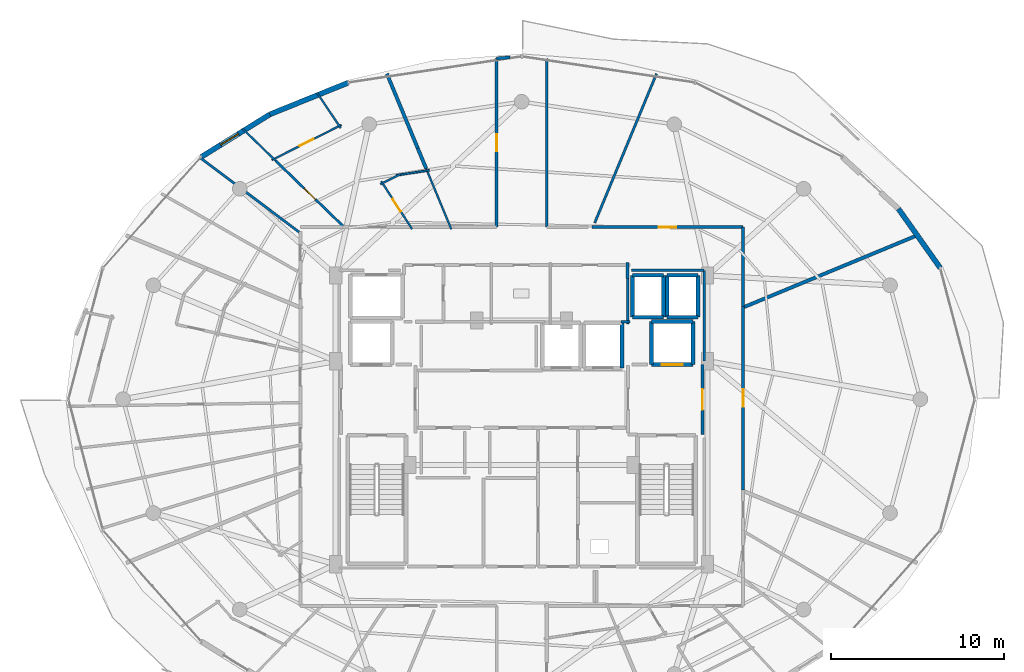
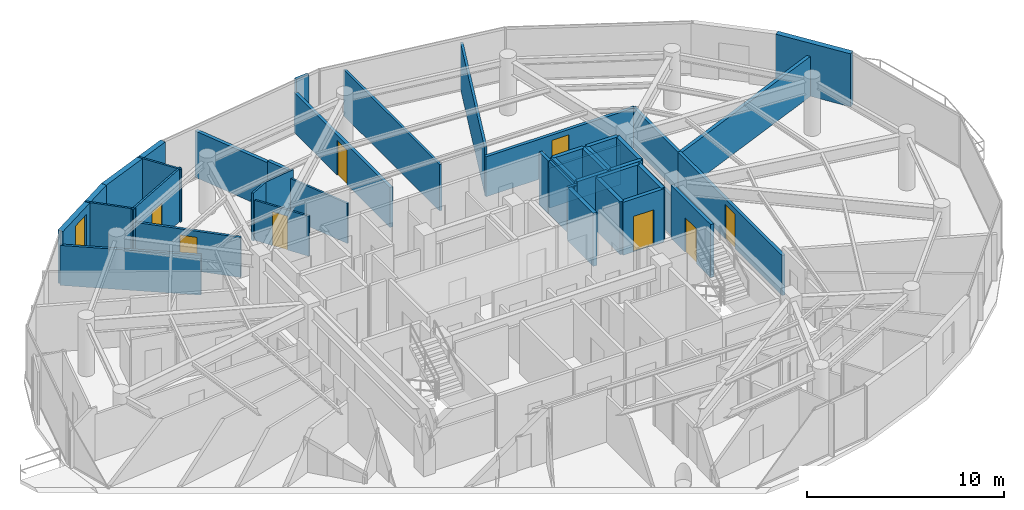
# One storey, part 26 of 30: 41 walls, 8 doors, 1 window, 9 openings.
"""IFC4 building model written with IfcOpenShell, lengths in metres."""

from ifc_helpers import new_model, si_unit, direction, frame, frame_2d, origin, place, context, subcontext, project, spatial, rectangle, extrude, material, layer, layer_set, type_object, element, fill, save


model = new_model("IFC4")

# Units and contexts
model_context = context("Model", 3, precision=1e-05, world=origin(), true_north=direction((0.0, 1.0)))
body_context = subcontext(model_context, "Body", "Model", "MODEL_VIEW")
ifc_project = project(units=[si_unit("LENGTHUNIT", "METRE"), si_unit("AREAUNIT", "SQUARE_METRE"), si_unit("VOLUMEUNIT", "CUBIC_METRE"), si_unit("PLANEANGLEUNIT", "RADIAN"), si_unit("MASSUNIT", "GRAM", prefix="KILO")], contexts=[model_context])

# Site, building, storey
site_placement = place(None, origin())
site = spatial("IfcSite", under=ifc_project, at=site_placement, CompositionType="ELEMENT")
building_placement = place(site_placement, origin())
building = spatial("IfcBuilding", under=site, at=building_placement, Name="Vorneva Point Tower", CompositionType="ELEMENT")
storey_placement = place(building_placement, frame((0.0, 0.0, 252.0)))
storey = spatial("IfcBuildingStorey", under=building, at=storey_placement, Name="L68", CompositionType="ELEMENT", Elevation=252.0)

# Wall, opening, door
ifc_material_1 = material(Name="Concrete B60 (C50/60)", Category="concrete")
ifc_layer_1 = layer(ifc_material_1, 0.35009765625)
ifc_layer_set_1 = layer_set([ifc_layer_1], Name="Concrete B60 (C50/60)")
wall_type_1 = type_object("IfcWallType", Name="WL-CORE-350", PredefinedType="SHEAR", material=ifc_layer_set_1)
wall_1_placement = place(storey_placement, frame((45.5, 28.0, 0.0), z_axis=(0.0, 0.0, 1.0), x_axis=(1.0, 0.0, 0.0)))
wall_1 = element("IfcWall", 1, at=wall_1_placement, inside=storey, type_object=wall_type_1, Name="L68 Lift FFL2 Shaft Wall -Y", PredefinedType="SHEAR", context=body_context, shape_type="SweptSolid", body=[
    extrude(rectangle(XDim=2.39990234375, YDim=0.219970703125, at=frame_2d((1.199951171875, 0.0))), origin(), (0.0, 0.0, 1.0), 3.2900390625),
])
opening_1_placement = place(wall_1_placement, frame((0.60009765625, 0.0, 0.0)))
opening_1 = element("IfcOpeningElement", 2, at=opening_1_placement, cuts=wall_1, Name="Opening LD-02", PredefinedType="OPENING", context=body_context, shape_type="SweptSolid", body=[
    extrude(rectangle(XDim=1.199951171875, YDim=2.199951171875, at=frame_2d((0.60009765625, 1.10009765625))), frame((0.0, 0.125, 0.0), z_axis=(0.0, -1.0, 0.0), x_axis=(1.0, 0.0, 0.0)), (0.0, 0.0, 1.0), 0.249755859375),
])
ifc_material_2 = material(Name="Brushed stainless steel S304", Category="steel")
door_type_1 = type_object("IfcDoorType", Name="LD-FIRE-1200", OperationType="SLIDING_TO_LEFT", PredefinedType="DOOR", material=ifc_material_2)
door_1_placement = place(opening_1_placement, origin())
door_1 = element("IfcDoor", 3, at=door_1_placement, inside=storey, type_object=door_type_1, Name="L68 Lift FFL2 Sliding Landing Door", OperationType="SLIDING_TO_LEFT", OverallHeight=2.199951171875, OverallWidth=1.199951171875, PredefinedType="DOOR", context=body_context, shape_type="SweptSolid", body=[
    extrude(rectangle(XDim=1.199951171875, YDim=2.199951171875, at=frame_2d((0.60009765625, 1.10009765625))), frame((0.0, 0.02490234375, 0.0), z_axis=(0.0, -1.0, 0.0), x_axis=(1.0, 0.0, 0.0)), (0.0, 0.0, 1.0), 0.050048828125),
])
fill(opening_1, door_1)

# Walls
wall_2_placement = place(storey_placement, frame((47.89990234375, 28.0, 0.0), z_axis=(0.0, 0.0, 1.0), x_axis=(0.0, 1.0, 0.0)))
element("IfcWall", 4, at=wall_2_placement, inside=storey, type_object=wall_type_1, Name="L68 Lift FFL2 Shaft Wall +X", PredefinedType="SHEAR", context=body_context, shape_type="SweptSolid", body=[
    extrude(rectangle(XDim=2.5, YDim=0.219970703125, at=frame_2d((1.25, 0.0))), origin(), (0.0, 0.0, 1.0), 3.2900390625),
])
wall_3_placement = place(storey_placement, frame((47.89990234375, 30.5, 0.0), z_axis=(0.0, 0.0, 1.0), x_axis=(-1.0, 0.0, 0.0)))
element("IfcWall", 5, at=wall_3_placement, inside=storey, type_object=wall_type_1, Name="L68 Lift FFL2 Shaft Wall +Y", PredefinedType="SHEAR", context=body_context, shape_type="SweptSolid", body=[
    extrude(rectangle(XDim=2.39990234375, YDim=0.219970703125, at=frame_2d((1.199951171875, 0.0))), origin(), (0.0, 0.0, 1.0), 3.2900390625),
])
wall_4_placement = place(storey_placement, frame((45.5, 30.5, 0.0), z_axis=(0.0, 0.0, 1.0), x_axis=(0.0, -1.0, 0.0)))
element("IfcWall", 6, at=wall_4_placement, inside=storey, type_object=wall_type_1, Name="L68 Lift FFL2 Shaft Wall -X", PredefinedType="SHEAR", context=body_context, shape_type="SweptSolid", body=[
    extrude(rectangle(XDim=2.5, YDim=0.219970703125, at=frame_2d((1.25, 0.0))), origin(), (0.0, 0.0, 1.0), 3.2900390625),
])
ifc_material_3 = material(Name="Precast concrete B50 (C40/50)", Category="concrete")
ifc_layer_2 = layer(ifc_material_3, 0.300048828125)
ifc_layer_set_2 = layer_set([ifc_layer_2], Name="Precast concrete B50 (C40/50)")
wall_type_2 = type_object("IfcWallType", Name="WL-EXT-300", PredefinedType="STANDARD", material=ifc_layer_set_2)
wall_5_placement = place(storey_placement, frame((62.20556640625, 33.5810546875, 0.0), z_axis=(0.0, 0.0, 1.0), x_axis=(-0.577261247247, 0.816559521668, 0.0)))
element("IfcWall", 7, at=wall_5_placement, inside=storey, type_object=wall_type_2, Name="L68 Pale-Metal Facade Spandrel Wall 02.1", PredefinedType="STANDARD", context=body_context, shape_type="SweptSolid", body=[
    extrude(rectangle(XDim=4.194091796875, YDim=0.300048828125, at=frame_2d((2.09716796875, 0.0))), origin(), (0.0, 0.0, 1.0), 3.2900390625),
])
wall_6_placement = place(storey_placement, frame((27.9736328125, 44.302001953125, 0.0), z_axis=(0.0, 0.0, 1.0), x_axis=(-0.927147375511, -0.374696869594, 0.0)))
element("IfcWall", 8, at=wall_6_placement, inside=storey, type_object=wall_type_2, Name="L68 Pale-Metal Facade Spandrel Wall 06.1", PredefinedType="STANDARD", context=body_context, shape_type="SweptSolid", body=[
    extrude(rectangle(XDim=4.885498046875, YDim=0.300048828125, at=frame_2d((2.44287109375, 0.0))), origin(), (0.0, 0.0, 1.0), 3.2900390625),
])

# Wall, opening, window
wall_7_placement = place(storey_placement, frame((23.444091796875, 42.471435546875, 0.0), z_axis=(0.0, 0.0, 1.0), x_axis=(-0.849702323036, -0.527262707032, 0.0)))
wall_7 = element("IfcWall", 9, at=wall_7_placement, inside=storey, type_object=wall_type_2, Name="L68 Pale-Metal Facade Spandrel Wall 06.2", PredefinedType="STANDARD", context=body_context, shape_type="SweptSolid", body=[
    extrude(rectangle(XDim=4.67236328125, YDim=0.300048828125, at=frame_2d((2.336181640625, 0.0))), origin(), (0.0, 0.0, 1.0), 3.2900390625),
])
opening_2_placement = place(wall_7_placement, frame((2.150146484375, 0.0, 0.85009765625)))
opening_2 = element("IfcOpeningElement", 10, at=opening_2_placement, cuts=wall_7, Name="Opening W-04", PredefinedType="OPENING", context=body_context, shape_type="SweptSolid", body=[
    extrude(rectangle(XDim=1.199951171875, YDim=1.949951171875, at=frame_2d((0.60009765625, 0.97509765625))), frame((0.0, 0.1650390625, 0.0), z_axis=(0.0, -1.0, 0.0), x_axis=(1.0, 0.0, 0.0)), (0.0, 0.0, 1.0), 0.329833984375),
])
ifc_material_4 = material(Name="Double low-e laminated glass IGU", Category="glass")
window_type = type_object("IfcWindowType", Name="WN-RES-1200", PartitioningType="SINGLE_PANEL", PredefinedType="WINDOW", material=ifc_material_4)
window_placement = place(opening_2_placement, origin())
window = element("IfcWindow", 11, at=window_placement, inside=storey, type_object=window_type, Name="L68 Dwelling Vision Window 01", OverallHeight=1.949951171875, OverallWidth=1.199951171875, PartitioningType="SINGLE_PANEL", PredefinedType="WINDOW", context=body_context, shape_type="SweptSolid", body=[
    extrude(rectangle(XDim=1.199951171875, YDim=1.949951171875, at=frame_2d((0.60009765625, 0.97509765625))), frame((0.0, 0.030029296875, 0.0), z_axis=(0.0, -1.0, 0.0), x_axis=(1.0, 0.0, 0.0)), (0.0, 0.0, 1.0), 0.06005859375),
])
fill(opening_2, window)

# Wall, opening, door
ifc_material_5 = material(Name="Fire-rated acoustic gypsum stud partition", Category="gypsum")
ifc_layer_3 = layer(ifc_material_5, 0.110107421875)
ifc_layer_set_3 = layer_set([ifc_layer_3], Name="Fire-rated acoustic gypsum stud partition")
wall_type_3 = type_object("IfcWallType", Name="WL-PART-110", PredefinedType="PARTITIONING", material=ifc_layer_set_3)
wall_8_placement = place(storey_placement, frame((31.664794921875, 35.832275390625, 0.0), z_axis=(0.0, 0.0, 1.0), x_axis=(-0.54169901175, 0.840572531474, 0.0)))
wall_8 = element("IfcWall", 12, at=wall_8_placement, inside=storey, type_object=wall_type_3, Name="L68 Interior Partition 068", PredefinedType="PARTITIONING", context=body_context, shape_type="SweptSolid", body=[
    extrude(rectangle(XDim=3.3017578125, YDim=0.110107421875, at=frame_2d((1.65087890625, 0.0))), origin(), (0.0, 0.0, 1.0), 2.48193359375),
])
opening_3_placement = place(wall_8_placement, frame((1.225830078125, 0.0, 0.0)))
opening_3 = element("IfcOpeningElement", 13, at=opening_3_placement, cuts=wall_8, Name="Opening ID-02", PredefinedType="OPENING", context=body_context, shape_type="SweptSolid", body=[
    extrude(rectangle(XDim=0.85009765625, YDim=2.10009765625, at=frame_2d((0.425048828125, 1.050048828125))), frame((0.0, 0.06982421875, 0.0), z_axis=(0.0, -1.0, 0.0), x_axis=(1.0, 0.0, 0.0)), (0.0, 0.0, 1.0), 0.139892578125),
])
ifc_material_6 = material(Name="Engineered oak fire-rated door leaf", Category="wood")
door_type_2 = type_object("IfcDoorType", Name="DR-BATH-850", OperationType="NOTDEFINED", PredefinedType="DOOR", material=ifc_material_6)
door_2_placement = place(opening_3_placement, origin())
door_2 = element("IfcDoor", 14, at=door_2_placement, inside=storey, type_object=door_type_2, Name="L68 Door Living and Dining Room L68-01 / Bathroom L68-01", OperationType="SINGLE_SWING_LEFT", OverallHeight=2.10009765625, OverallWidth=0.85009765625, PredefinedType="DOOR", context=body_context, shape_type="SweptSolid", body=[
    extrude(rectangle(XDim=0.85009765625, YDim=2.10009765625, at=frame_2d((0.425048828125, 1.050048828125))), frame((0.0, 0.02490234375, 0.0), z_axis=(0.0, -1.0, 0.0), x_axis=(1.0, 0.0, 0.0)), (0.0, 0.0, 1.0), 0.050048828125),
])
fill(opening_3, door_2)

# Walls
wall_9_placement = place(storey_placement, frame((29.8271484375, 38.4267578125, 0.0), z_axis=(0.0, 0.0, 1.0), x_axis=(0.892302210035, 0.451438551706, 0.0)))
element("IfcWall", 15, at=wall_9_placement, inside=storey, type_object=wall_type_3, Name="L68 Interior Partition 069", PredefinedType="PARTITIONING", context=body_context, shape_type="SweptSolid", body=[
    extrude(rectangle(XDim=1.339111328125, YDim=0.110107421875, at=frame_2d((0.66943359375, 0.0))), origin(), (0.0, 0.0, 1.0), 2.971923828125),
])
wall_10_placement = place(storey_placement, frame((30.758544921875, 38.947265625, 0.0), z_axis=(0.0, 0.0, 1.0), x_axis=(0.988889867338, 0.148650026153, 0.0)))
element("IfcWall", 16, at=wall_10_placement, inside=storey, type_object=wall_type_3, Name="L68 Interior Partition 070", PredefinedType="PARTITIONING", context=body_context, shape_type="SweptSolid", body=[
    extrude(rectangle(XDim=1.92822265625, YDim=0.110107421875, at=frame_2d((0.964111328125, 0.0))), origin(), (0.0, 0.0, 1.0), 2.971923828125),
])
wall_11_placement = place(storey_placement, frame((32.473388671875, 39.34228515625, 0.0), z_axis=(0.0, 0.0, 1.0), x_axis=(0.382813734438, -0.92382554886, 0.0)))
element("IfcWall", 17, at=wall_11_placement, inside=storey, type_object=wall_type_3, Name="L68 Interior Partition 071", PredefinedType="PARTITIONING", context=body_context, shape_type="SweptSolid", body=[
    extrude(rectangle(XDim=3.811767578125, YDim=0.110107421875, at=frame_2d((1.90576171875, 0.0))), origin(), (0.0, 0.0, 1.0), 2.48193359375),
])

# Wall, opening, door
wall_12_placement = place(storey_placement, frame((27.578857421875, 41.858154296875, 0.0), z_axis=(0.0, 0.0, 1.0), x_axis=(-0.892472689139, -0.451101428883, 0.0)))
wall_12 = element("IfcWall", 18, at=wall_12_placement, inside=storey, type_object=wall_type_3, Name="L68 Interior Partition 072", PredefinedType="PARTITIONING", context=body_context, shape_type="SweptSolid", body=[
    extrude(rectangle(XDim=4.516357421875, YDim=0.110107421875, at=frame_2d((2.25830078125, 0.0))), origin(), (0.0, 0.0, 1.0), 3.2900390625),
])
opening_4_placement = place(wall_12_placement, frame((1.80810546875, 0.0, 0.0)))
opening_4 = element("IfcOpeningElement", 19, at=opening_4_placement, cuts=wall_12, Name="Opening ID-01", PredefinedType="OPENING", context=body_context, shape_type="SweptSolid", body=[
    extrude(rectangle(XDim=0.89990234375, YDim=2.10009765625, at=frame_2d((0.449951171875, 1.050048828125))), frame((0.0, 0.06982421875, 0.0), z_axis=(0.0, -1.0, 0.0), x_axis=(1.0, 0.0, 0.0)), (0.0, 0.0, 1.0), 0.139892578125),
])
door_type_3 = type_object("IfcDoorType", Name="DR-ROOM-900", OperationType="NOTDEFINED", PredefinedType="DOOR", material=ifc_material_6)
door_3_placement = place(opening_4_placement, origin())
door_3 = element("IfcDoor", 20, at=door_3_placement, inside=storey, type_object=door_type_3, Name="L68 Door Living and Dining Room L68-01 / Kitchen L68-01", OperationType="SINGLE_SWING_RIGHT", OverallHeight=2.10009765625, OverallWidth=0.89990234375, PredefinedType="DOOR", context=body_context, shape_type="SweptSolid", body=[
    extrude(rectangle(XDim=0.89990234375, YDim=2.10009765625, at=frame_2d((0.449951171875, 1.050048828125))), frame((0.0, 0.02490234375, 0.0), z_axis=(0.0, -1.0, 0.0), x_axis=(1.0, 0.0, 0.0)), (0.0, 0.0, 1.0), 0.050048828125),
])
fill(opening_4, door_3)

# Walls
wall_13_placement = place(storey_placement, frame((23.7734375, 39.78662109375, 0.0), z_axis=(0.0, 0.0, 1.0), x_axis=(-0.718131661866, 0.695907261225, 0.0)))
element("IfcWall", 21, at=wall_13_placement, inside=storey, type_object=wall_type_3, Name="L68 Interior Partition 073", PredefinedType="PARTITIONING", context=body_context, shape_type="SweptSolid", body=[
    extrude(rectangle(XDim=2.66943359375, YDim=0.110107421875, at=frame_2d((1.334716796875, 0.0))), origin(), (0.0, 0.0, 1.0), 3.2900390625),
])
wall_14_placement = place(storey_placement, frame((26.168212890625, 43.718505859375, 0.0), z_axis=(0.0, 0.0, 1.0), x_axis=(0.555733085272, -0.831360774835, 0.0)))
element("IfcWall", 22, at=wall_14_placement, inside=storey, type_object=wall_type_3, Name="L68 Interior Partition 074", PredefinedType="PARTITIONING", context=body_context, shape_type="SweptSolid", body=[
    extrude(rectangle(XDim=2.45361328125, YDim=0.110107421875, at=frame_2d((1.226806640625, 0.0))), origin(), (0.0, 0.0, 1.0), 3.2900390625),
])

# Wall, opening, door
ifc_layer_4 = layer(ifc_material_5, 0.139892578125)
ifc_layer_set_4 = layer_set([ifc_layer_4], Name="Fire-rated acoustic gypsum stud partition")
wall_type_4 = type_object("IfcWallType", Name="WL-PART-140", PredefinedType="PARTITIONING", material=ifc_layer_set_4)
wall_15_placement = place(storey_placement, frame((23.7734375, 39.78662109375, 0.0), z_axis=(0.0, 0.0, 1.0), x_axis=(0.718070058765, -0.695970826045, 0.0)))
wall_15 = element("IfcWall", 23, at=wall_15_placement, inside=storey, type_object=wall_type_4, Name="L68 Interior Partition 075", PredefinedType="PARTITIONING", context=body_context, shape_type="SweptSolid", body=[
    extrude(rectangle(XDim=5.5126953125, YDim=0.139892578125, at=frame_2d((2.75634765625, 0.0))), origin(), (0.0, 0.0, 1.0), 2.48193359375),
])
opening_5_placement = place(wall_15_placement, frame((2.306396484375, 0.0, 0.0)))
opening_5 = element("IfcOpeningElement", 24, at=opening_5_placement, cuts=wall_15, Name="Opening ID-01", PredefinedType="OPENING", context=body_context, shape_type="SweptSolid", body=[
    extrude(rectangle(XDim=0.89990234375, YDim=2.10009765625, at=frame_2d((0.449951171875, 1.050048828125))), frame((0.0, 0.0849609375, 0.0), z_axis=(0.0, -1.0, 0.0), x_axis=(1.0, 0.0, 0.0)), (0.0, 0.0, 1.0), 0.169677734375),
])
door_4_placement = place(opening_5_placement, origin())
door_4 = element("IfcDoor", 25, at=door_4_placement, inside=storey, type_object=door_type_3, Name="L68 Door Living and Dining Room L68-01 / Master Bedroom L68-01.1", OperationType="SINGLE_SWING_LEFT", OverallHeight=2.10009765625, OverallWidth=0.89990234375, PredefinedType="DOOR", context=body_context, shape_type="SweptSolid", body=[
    extrude(rectangle(XDim=0.89990234375, YDim=2.10009765625, at=frame_2d((0.449951171875, 1.050048828125))), frame((0.0, 0.02490234375, 0.0), z_axis=(0.0, -1.0, 0.0), x_axis=(1.0, 0.0, 0.0)), (0.0, 0.0, 1.0), 0.050048828125),
])
fill(opening_5, door_4)

# Walls
wall_16_placement = place(storey_placement, frame((19.4150390625, 39.9541015625, 0.0), z_axis=(0.0, 0.0, 1.0), x_axis=(0.799712355931, -0.600383334022, 0.0)))
element("IfcWall", 26, at=wall_16_placement, inside=storey, type_object=wall_type_4, Name="L68 Interior Partition 078", PredefinedType="PARTITIONING", context=body_context, shape_type="SweptSolid", body=[
    extrude(rectangle(XDim=7.233642578125, YDim=0.139892578125, at=frame_2d((3.61669921875, 0.0))), origin(), (0.0, 0.0, 1.0), 2.48193359375),
])
wall_17_placement = place(storey_placement, frame((43.735107421875, 30.47998046875, 0.0), z_axis=(0.0, 0.0, 1.0), x_axis=(1.0, 0.0, 0.0)))
element("IfcWall", 27, at=wall_17_placement, inside=storey, type_object=wall_type_4, Name="L68 Interior Closure Partition 128", PredefinedType="PARTITIONING", context=body_context, shape_type="SweptSolid", body=[
    extrude(rectangle(XDim=0.52490234375, YDim=0.139892578125, at=frame_2d((0.262451171875, 0.0))), origin(), (0.0, 0.0, 1.0), 3.2900390625),
])
wall_18_placement = place(storey_placement, frame((44.1201171875, 30.340087890625, 0.0), z_axis=(0.0, 0.0, 1.0), x_axis=(0.0, 1.0, 0.0)))
element("IfcWall", 28, at=wall_18_placement, inside=storey, type_object=wall_type_4, Name="L68 Interior Closure Partition 129", PredefinedType="PARTITIONING", context=body_context, shape_type="SweptSolid", body=[
    extrude(rectangle(XDim=2.659912109375, YDim=0.139892578125, at=frame_2d((1.330078125, 0.0))), origin(), (0.0, 0.0, 1.0), 3.2900390625),
])
wall_19_placement = place(storey_placement, frame((39.449951171875, 35.949951171875, 0.0), z_axis=(0.0, 0.0, 1.0), x_axis=(0.0, 1.0, 0.0)))
element("IfcWall", 29, at=wall_19_placement, inside=storey, type_object=wall_type_4, Name="L68 Interior Closure Partition 138", PredefinedType="PARTITIONING", context=body_context, shape_type="SweptSolid", body=[
    extrude(rectangle(XDim=9.7509765625, YDim=0.139892578125, at=frame_2d((4.87548828125, 0.0))), origin(), (0.0, 0.0, 1.0), 2.8740234375),
])
wall_20_placement = place(storey_placement, frame((48.550048828125, 28.196044921875, 0.0), z_axis=(0.0, 0.0, 1.0), x_axis=(0.0, 1.0, 0.0)))
element("IfcWall", 30, at=wall_20_placement, inside=storey, type_object=wall_type_4, Name="L68 Interior Closure Partition 142", PredefinedType="PARTITIONING", context=body_context, shape_type="SweptSolid", body=[
    extrude(rectangle(XDim=5.25390625, YDim=0.139892578125, at=frame_2d((2.626953125, 0.0))), origin(), (0.0, 0.0, 1.0), 2.48193359375),
])
wall_21_placement = place(storey_placement, frame((48.550048828125, 33.449951171875, 0.0), z_axis=(0.0, 0.0, 1.0), x_axis=(-1.0, 0.0, 0.0)))
element("IfcWall", 31, at=wall_21_placement, inside=storey, type_object=wall_type_4, Name="L68 Interior Closure Partition 143", PredefinedType="PARTITIONING", context=body_context, shape_type="SweptSolid", body=[
    extrude(rectangle(XDim=4.2099609375, YDim=0.139892578125, at=frame_2d((2.10498046875, 0.0))), origin(), (0.0, 0.0, 1.0), 2.48193359375),
])
wall_22_placement = place(storey_placement, frame((45.79296875, 44.81298828125, 0.0), z_axis=(0.0, 0.0, 1.0), x_axis=(-0.382742241568, -0.923855170749, 0.0)))
element("IfcWall", 32, at=wall_22_placement, inside=storey, type_object=wall_type_4, Name="L68 Interior Closure Partition 151", PredefinedType="PARTITIONING", context=body_context, shape_type="SweptSolid", body=[
    extrude(rectangle(XDim=9.332763671875, YDim=0.139892578125, at=frame_2d((4.66650390625, 0.0))), origin(), (0.0, 0.0, 1.0), 2.8740234375),
])

# Wall, opening, door
ifc_material_7 = material(Name="Autoclaved aerated concrete blockwork", Category="masonry")
ifc_layer_5 = layer(ifc_material_7, 0.179931640625)
ifc_layer_set_5 = layer_set([ifc_layer_5], Name="Autoclaved aerated concrete blockwork")
wall_type_5 = type_object("IfcWallType", Name="WL-PART-180", PredefinedType="PARTITIONING", material=ifc_layer_set_5)
wall_23_placement = place(storey_placement, frame((48.449951171875, 23.949951171875, 0.0), z_axis=(0.0, 0.0, 1.0), x_axis=(0.0, 1.0, 0.0)))
wall_23 = element("IfcWall", 33, at=wall_23_placement, inside=storey, type_object=wall_type_5, Name="L68 Interior Partition 005", PredefinedType="PARTITIONING", context=body_context, shape_type="SweptSolid", body=[
    extrude(rectangle(XDim=4.050048828125, YDim=0.179931640625, at=frame_2d((2.02490234375, 0.0))), origin(), (0.0, 0.0, 1.0), 3.2900390625),
])
opening_6_placement = place(wall_23_placement, frame((1.425048828125, 0.0, 0.0)))
opening_6 = element("IfcOpeningElement", 34, at=opening_6_placement, cuts=wall_23, Name="Opening FD-02", PredefinedType="OPENING", context=body_context, shape_type="SweptSolid", body=[
    extrude(rectangle(XDim=1.199951171875, YDim=2.14990234375, at=frame_2d((0.60009765625, 1.074951171875))), frame((0.0, 0.10498046875, 0.0), z_axis=(0.0, -1.0, 0.0), x_axis=(1.0, 0.0, 0.0)), (0.0, 0.0, 1.0), 0.209716796875),
])
ifc_material_8 = material(Name="Fire-rated powder-coated steel", Category="steel")
door_type_4 = type_object("IfcDoorType", Name="DR-FFL-1200", OperationType="NOTDEFINED", PredefinedType="DOOR", material=ifc_material_8)
door_5_placement = place(opening_6_placement, origin())
door_5 = element("IfcDoor", 35, at=door_5_placement, inside=storey, type_object=door_type_4, Name="L68 Door East Firefighting Lobby / L68 Circulation Corridor", OperationType="SINGLE_SWING_LEFT", OverallHeight=2.14990234375, OverallWidth=1.199951171875, PredefinedType="DOOR", context=body_context, shape_type="SweptSolid", body=[
    extrude(rectangle(XDim=1.199951171875, YDim=2.14990234375, at=frame_2d((0.60009765625, 1.074951171875))), frame((0.0, 0.02490234375, 0.0), z_axis=(0.0, -1.0, 0.0), x_axis=(1.0, 0.0, 0.0)), (0.0, 0.0, 1.0), 0.050048828125),
])
fill(opening_6, door_5)

# Wall
wall_24_placement = place(storey_placement, frame((44.1201171875, 32.969970703125, 0.0), z_axis=(0.0, 0.0, 1.0), x_axis=(0.0, 1.0, 0.0)))
element("IfcWall", 36, at=wall_24_placement, inside=storey, type_object=wall_type_5, Name="L68 Interior Partition 029", PredefinedType="PARTITIONING", context=body_context, shape_type="SweptSolid", body=[
    extrude(rectangle(XDim=0.929931640625, YDim=0.179931640625, at=frame_2d((0.46484375, 0.0))), origin(), (0.0, 0.0, 1.0), 3.2900390625),
])

# Wall, opening, door
wall_25_placement = place(storey_placement, frame((50.800048828125, 20.758056640625, 0.0), z_axis=(0.0, 0.0, 1.0), x_axis=(0.0, 1.0, 0.0)))
wall_25 = element("IfcWall", 37, at=wall_25_placement, inside=storey, type_object=wall_type_5, Name="L68 Interior Partition 062", PredefinedType="PARTITIONING", context=body_context, shape_type="SweptSolid", body=[
    extrude(rectangle(XDim=10.60888671875, YDim=0.179931640625, at=frame_2d((5.304443359375, 0.0))), origin(), (0.0, 0.0, 1.0), 2.48193359375),
])
opening_7_placement = place(wall_25_placement, frame((4.804443359375, 0.0, 0.0)))
opening_7 = element("IfcOpeningElement", 38, at=opening_7_placement, cuts=wall_25, Name="Opening UD-01", PredefinedType="OPENING", context=body_context, shape_type="SweptSolid", body=[
    extrude(rectangle(XDim=1.0, YDim=2.14990234375, at=frame_2d((0.5, 1.074951171875))), frame((0.0, 0.10498046875, 0.0), z_axis=(0.0, -1.0, 0.0), x_axis=(1.0, 0.0, 0.0)), (0.0, 0.0, 1.0), 0.209716796875),
])
door_type_5 = type_object("IfcDoorType", Name="DR-UNIT-1000", OperationType="NOTDEFINED", PredefinedType="DOOR", material=ifc_material_6)
door_6_placement = place(opening_7_placement, origin())
door_6 = element("IfcDoor", 39, at=door_6_placement, inside=storey, type_object=door_type_5, Name="L68 Door L68 Circulation Corridor / Residents Sky Lounge L68-06", OperationType="SINGLE_SWING_LEFT", OverallHeight=2.14990234375, OverallWidth=1.0, PredefinedType="DOOR", context=body_context, shape_type="SweptSolid", body=[
    extrude(rectangle(XDim=1.0, YDim=2.14990234375, at=frame_2d((0.5, 1.074951171875))), frame((0.0, 0.02490234375, 0.0), z_axis=(0.0, -1.0, 0.0), x_axis=(1.0, 0.0, 0.0)), (0.0, 0.0, 1.0), 0.050048828125),
])
fill(opening_7, door_6)

# Wall
wall_26_placement = place(storey_placement, frame((50.800048828125, 31.366943359375, 0.0), z_axis=(0.0, 0.0, 1.0), x_axis=(0.0, 1.0, 0.0)))
element("IfcWall", 40, at=wall_26_placement, inside=storey, type_object=wall_type_5, Name="L68 Interior Partition 063", PredefinedType="PARTITIONING", context=body_context, shape_type="SweptSolid", body=[
    extrude(rectangle(XDim=4.5830078125, YDim=0.179931640625, at=frame_2d((2.29150390625, 0.0))), origin(), (0.0, 0.0, 1.0), 2.48193359375),
])

# Wall, opening, door
wall_27_placement = place(storey_placement, frame((50.800048828125, 35.949951171875, 0.0), z_axis=(0.0, 0.0, 1.0), x_axis=(-1.0, 0.0, 0.0)))
wall_27 = element("IfcWall", 41, at=wall_27_placement, inside=storey, type_object=wall_type_5, Name="L68 Interior Partition 064", PredefinedType="PARTITIONING", context=body_context, shape_type="SweptSolid", body=[
    extrude(rectangle(XDim=8.739013671875, YDim=0.179931640625, at=frame_2d((4.36962890625, 0.0))), origin(), (0.0, 0.0, 1.0), 2.48193359375),
])
opening_8_placement = place(wall_27_placement, frame((3.869384765625, 0.0, 0.0)))
opening_8 = element("IfcOpeningElement", 42, at=opening_8_placement, cuts=wall_27, Name="Opening UD-01", PredefinedType="OPENING", context=body_context, shape_type="SweptSolid", body=[
    extrude(rectangle(XDim=1.0, YDim=2.14990234375, at=frame_2d((0.5, 1.074951171875))), frame((0.0, 0.10498046875, 0.0), z_axis=(0.0, -1.0, 0.0), x_axis=(1.0, 0.0, 0.0)), (0.0, 0.0, 1.0), 0.209716796875),
])
door_7_placement = place(opening_8_placement, origin())
door_7 = element("IfcDoor", 43, at=door_7_placement, inside=storey, type_object=door_type_5, Name="L68 Door L68 Circulation Corridor / Residents Sky Lounge L68-07", OperationType="SINGLE_SWING_RIGHT", OverallHeight=2.14990234375, OverallWidth=1.0, PredefinedType="DOOR", context=body_context, shape_type="SweptSolid", body=[
    extrude(rectangle(XDim=1.0, YDim=2.14990234375, at=frame_2d((0.5, 1.074951171875))), frame((0.0, 0.02490234375, 0.0), z_axis=(0.0, -1.0, 0.0), x_axis=(1.0, 0.0, 0.0)), (0.0, 0.0, 1.0), 0.050048828125),
])
fill(opening_8, door_7)

# Wall
wall_28_placement = place(storey_placement, frame((37.3291015625, 45.760009765625, 0.0), z_axis=(0.0, 0.0, 1.0), x_axis=(-0.997136622012, -0.0756211415, 0.0)))
element("IfcWall", 44, at=wall_28_placement, inside=storey, type_object=wall_type_5, Name="L68 Interior Partition 065", PredefinedType="PARTITIONING", context=body_context, shape_type="SweptSolid", body=[
    extrude(rectangle(XDim=0.78125, YDim=0.179931640625, at=frame_2d((0.390625, 0.0))), origin(), (0.0, 0.0, 1.0), 3.2900390625),
])

# Wall, opening, door
wall_29_placement = place(storey_placement, frame((36.550048828125, 45.700927734375, 0.0), z_axis=(0.0, 0.0, 1.0), x_axis=(0.0, -1.0, 0.0)))
wall_29 = element("IfcWall", 45, at=wall_29_placement, inside=storey, type_object=wall_type_5, Name="L68 Interior Partition 066", PredefinedType="PARTITIONING", context=body_context, shape_type="SweptSolid", body=[
    extrude(rectangle(XDim=9.7509765625, YDim=0.179931640625, at=frame_2d((4.87548828125, 0.0))), origin(), (0.0, 0.0, 1.0), 2.48193359375),
])
opening_9_placement = place(wall_29_placement, frame((4.37548828125, 0.0, 0.0)))
opening_9 = element("IfcOpeningElement", 46, at=opening_9_placement, cuts=wall_29, Name="Opening UD-01", PredefinedType="OPENING", context=body_context, shape_type="SweptSolid", body=[
    extrude(rectangle(XDim=1.0, YDim=2.14990234375, at=frame_2d((0.5, 1.074951171875))), frame((0.0, 0.10498046875, 0.0), z_axis=(0.0, -1.0, 0.0), x_axis=(1.0, 0.0, 0.0)), (0.0, 0.0, 1.0), 0.209716796875),
])
door_8_placement = place(opening_9_placement, origin())
door_8 = element("IfcDoor", 47, at=door_8_placement, inside=storey, type_object=door_type_5, Name="L68 Door L68 Circulation Corridor / Residents Fitness Studio L68-08", OperationType="SINGLE_SWING_LEFT", OverallHeight=2.14990234375, OverallWidth=1.0, PredefinedType="DOOR", context=body_context, shape_type="SweptSolid", body=[
    extrude(rectangle(XDim=1.0, YDim=2.14990234375, at=frame_2d((0.5, 1.074951171875))), frame((0.0, 0.02490234375, 0.0), z_axis=(0.0, -1.0, 0.0), x_axis=(1.0, 0.0, 0.0)), (0.0, 0.0, 1.0), 0.050048828125),
])
fill(opening_9, door_8)

# Walls
ifc_layer_6 = layer(ifc_material_7, 0.199951171875)
ifc_layer_set_6 = layer_set([ifc_layer_6], Name="Autoclaved aerated concrete blockwork")
wall_type_6 = type_object("IfcWallType", Name="WL-PART-200", PredefinedType="PARTITIONING", material=ifc_layer_set_6)
wall_30_placement = place(storey_placement, frame((32.473388671875, 39.34228515625, 0.0), z_axis=(0.0, 0.0, 1.0), x_axis=(-0.382714507304, 0.923866660238, 0.0)))
element("IfcWall", 48, at=wall_30_placement, inside=storey, type_object=wall_type_6, Name="L68 Interior Partition 076", PredefinedType="PARTITIONING", context=body_context, shape_type="SweptSolid", body=[
    extrude(rectangle(XDim=1.26806640625, YDim=0.199951171875, at=frame_2d((0.634033203125, 0.0))), origin(), (0.0, 0.0, 1.0), 2.971923828125),
])
wall_31_placement = place(storey_placement, frame((31.988037109375, 40.513916015625, 0.0), z_axis=(0.0, 0.0, 1.0), x_axis=(-0.382733290986, 0.923858878818, 0.0)))
element("IfcWall", 49, at=wall_31_placement, inside=storey, type_object=wall_type_6, Name="L68 Interior Partition 077", PredefinedType="PARTITIONING", context=body_context, shape_type="SweptSolid", body=[
    extrude(rectangle(XDim=4.6533203125, YDim=0.199951171875, at=frame_2d((2.32666015625, 0.0))), origin(), (0.0, 0.0, 1.0), 2.8740234375),
])
wall_32_placement = place(storey_placement, frame((60.866943359375, 35.471923828125, 0.0), z_axis=(0.0, 0.0, 1.0), x_axis=(-0.923877013663, -0.382689513347, 0.0)))
element("IfcWall", 50, at=wall_32_placement, inside=storey, type_object=wall_type_6, Name="L68 Interior Partition 124", PredefinedType="PARTITIONING", context=body_context, shape_type="SweptSolid", body=[
    extrude(rectangle(XDim=10.896240234375, YDim=0.199951171875, at=frame_2d((5.4482421875, 0.0))), origin(), (0.0, 0.0, 1.0), 2.48193359375),
])
ifc_material_9 = material(Name="Concrete B50 (C40/50)", Category="concrete")
ifc_layer_7 = layer(ifc_material_9, 0.219970703125)
ifc_layer_set_7 = layer_set([ifc_layer_7], Name="Concrete B50 (C40/50)")
wall_type_7 = type_object("IfcWallType", Name="WL-SHFT-220", PredefinedType="SOLIDWALL", material=ifc_layer_set_7)
wall_33_placement = place(storey_placement, frame((43.800048828125, 27.800048828125, 0.0), z_axis=(0.0, 0.0, 1.0), x_axis=(0.0, 1.0, 0.0)))
element("IfcWall", 51, at=wall_33_placement, inside=storey, type_object=wall_type_7, Name="L68 Lift PL8 Shaft Wall +X", PredefinedType="SOLIDWALL", context=body_context, shape_type="SweptSolid", body=[
    extrude(rectangle(XDim=2.599853515625, YDim=0.219970703125, at=frame_2d((1.2998046875, 0.0))), origin(), (0.0, 0.0, 1.0), 3.2900390625),
])
wall_34_placement = place(storey_placement, frame((44.39990234375, 30.739990234375, 0.0), z_axis=(0.0, 0.0, 1.0), x_axis=(1.0, 0.0, 0.0)))
element("IfcWall", 52, at=wall_34_placement, inside=storey, type_object=wall_type_7, Name="L68 Lift EX1 Shaft Wall -Y", PredefinedType="SOLIDWALL", context=body_context, shape_type="SweptSolid", body=[
    extrude(rectangle(XDim=1.800048828125, YDim=0.219970703125, at=frame_2d((0.89990234375, 0.0))), origin(), (0.0, 0.0, 1.0), 3.2900390625),
])
wall_35_placement = place(storey_placement, frame((46.199951171875, 30.739990234375, 0.0), z_axis=(0.0, 0.0, 1.0), x_axis=(0.0, 1.0, 0.0)))
element("IfcWall", 53, at=wall_35_placement, inside=storey, type_object=wall_type_7, Name="L68 Lift EX1 Shaft Wall +X", PredefinedType="SOLIDWALL", context=body_context, shape_type="SweptSolid", body=[
    extrude(rectangle(XDim=2.419921875, YDim=0.219970703125, at=frame_2d((1.2099609375, 0.0))), origin(), (0.0, 0.0, 1.0), 3.2900390625),
])
wall_36_placement = place(storey_placement, frame((46.199951171875, 33.159912109375, 0.0), z_axis=(0.0, 0.0, 1.0), x_axis=(-1.0, 0.0, 0.0)))
element("IfcWall", 54, at=wall_36_placement, inside=storey, type_object=wall_type_7, Name="L68 Lift EX1 Shaft Wall +Y", PredefinedType="SOLIDWALL", context=body_context, shape_type="SweptSolid", body=[
    extrude(rectangle(XDim=1.800048828125, YDim=0.219970703125, at=frame_2d((0.89990234375, 0.0))), origin(), (0.0, 0.0, 1.0), 3.2900390625),
])
wall_37_placement = place(storey_placement, frame((44.39990234375, 33.159912109375, 0.0), z_axis=(0.0, 0.0, 1.0), x_axis=(0.0, -1.0, 0.0)))
element("IfcWall", 55, at=wall_37_placement, inside=storey, type_object=wall_type_7, Name="L68 Lift EX1 Shaft Wall -X", PredefinedType="SOLIDWALL", context=body_context, shape_type="SweptSolid", body=[
    extrude(rectangle(XDim=2.419921875, YDim=0.219970703125, at=frame_2d((1.2099609375, 0.0))), origin(), (0.0, 0.0, 1.0), 3.2900390625),
])
wall_38_placement = place(storey_placement, frame((46.39990234375, 30.739990234375, 0.0), z_axis=(0.0, 0.0, 1.0), x_axis=(1.0, 0.0, 0.0)))
element("IfcWall", 56, at=wall_38_placement, inside=storey, type_object=wall_type_7, Name="L68 Lift EX2 Shaft Wall -Y", PredefinedType="SOLIDWALL", context=body_context, shape_type="SweptSolid", body=[
    extrude(rectangle(XDim=1.800048828125, YDim=0.219970703125, at=frame_2d((0.89990234375, 0.0))), origin(), (0.0, 0.0, 1.0), 3.2900390625),
])
wall_39_placement = place(storey_placement, frame((48.199951171875, 30.739990234375, 0.0), z_axis=(0.0, 0.0, 1.0), x_axis=(0.0, 1.0, 0.0)))
element("IfcWall", 57, at=wall_39_placement, inside=storey, type_object=wall_type_7, Name="L68 Lift EX2 Shaft Wall +X", PredefinedType="SOLIDWALL", context=body_context, shape_type="SweptSolid", body=[
    extrude(rectangle(XDim=2.419921875, YDim=0.219970703125, at=frame_2d((1.2099609375, 0.0))), origin(), (0.0, 0.0, 1.0), 3.2900390625),
])
wall_40_placement = place(storey_placement, frame((48.199951171875, 33.159912109375, 0.0), z_axis=(0.0, 0.0, 1.0), x_axis=(-1.0, 0.0, 0.0)))
element("IfcWall", 58, at=wall_40_placement, inside=storey, type_object=wall_type_7, Name="L68 Lift EX2 Shaft Wall +Y", PredefinedType="SOLIDWALL", context=body_context, shape_type="SweptSolid", body=[
    extrude(rectangle(XDim=1.800048828125, YDim=0.219970703125, at=frame_2d((0.89990234375, 0.0))), origin(), (0.0, 0.0, 1.0), 3.2900390625),
])
wall_41_placement = place(storey_placement, frame((46.39990234375, 33.159912109375, 0.0), z_axis=(0.0, 0.0, 1.0), x_axis=(0.0, -1.0, 0.0)))
element("IfcWall", 59, at=wall_41_placement, inside=storey, type_object=wall_type_7, Name="L68 Lift EX2 Shaft Wall -X", PredefinedType="SOLIDWALL", context=body_context, shape_type="SweptSolid", body=[
    extrude(rectangle(XDim=2.419921875, YDim=0.219970703125, at=frame_2d((1.2099609375, 0.0))), origin(), (0.0, 0.0, 1.0), 3.2900390625),
])

save(model, "model.ifc")
